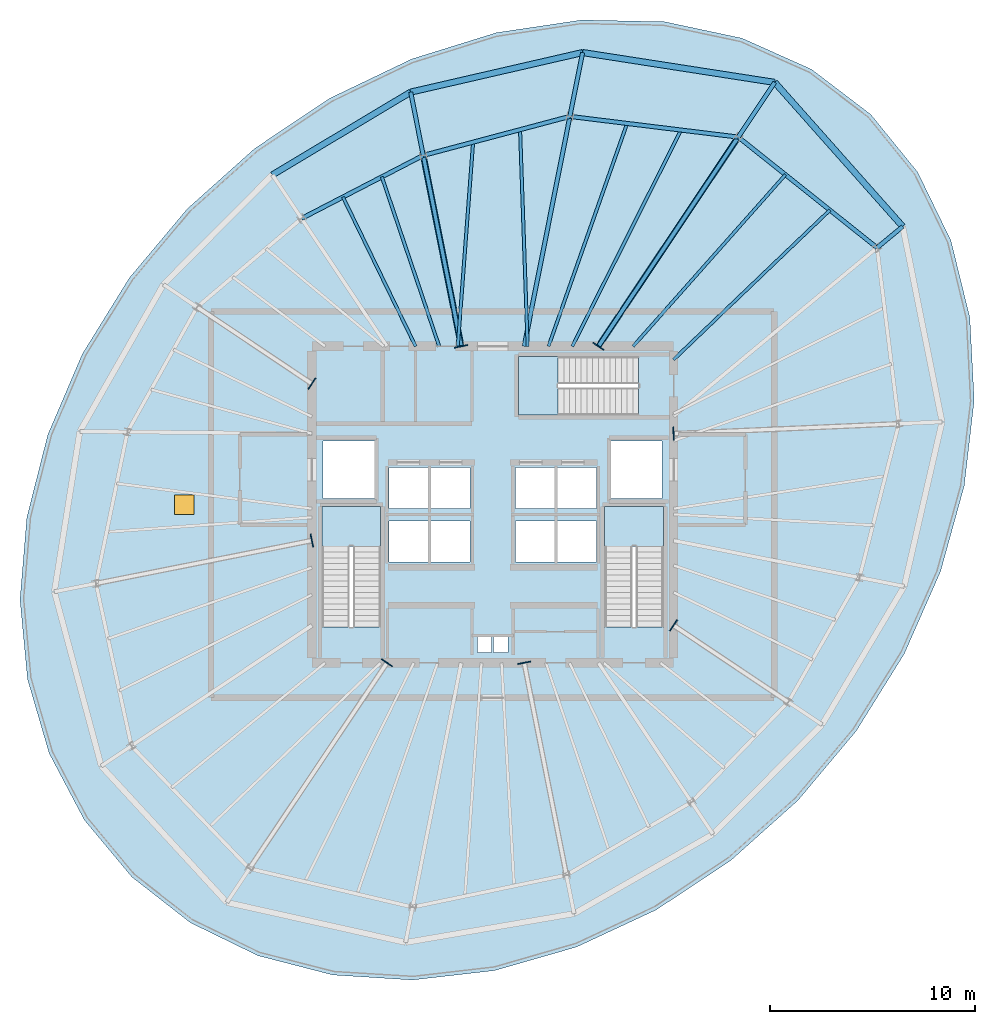
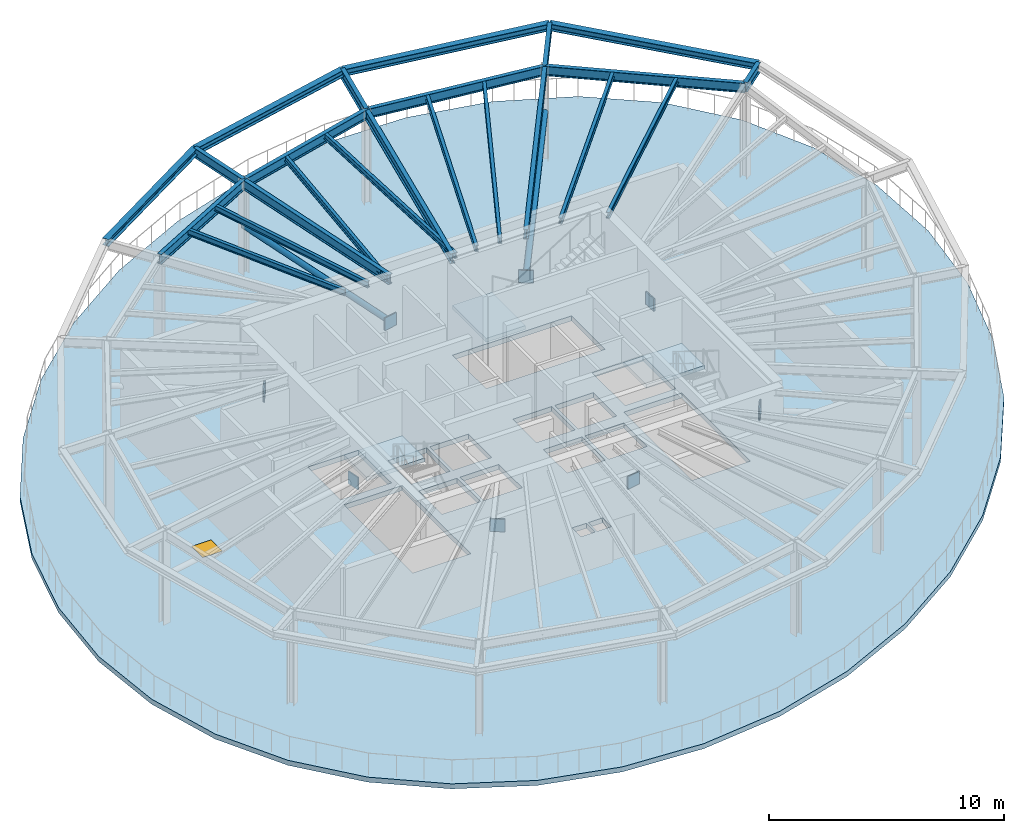
# One storey, part 3 of 8: 23 beams, 8 plates, 4 slabs, 2 members, 1 door, 1 opening, 3 elements without a shape of their own.
"""IFC4 building model written with IfcOpenShell, lengths in metres."""

from ifc_helpers import new_model, si_unit, direction, frame, origin, origin_2d, place, context, subcontext, project, spatial, polyline, rectangle, hollow_circle, i_section, outline, extrude, source, transform, mapped, material, layer, layer_set, material_profile, profile_set, type_object, element, fill, aggregate, save


model = new_model("IFC4")

# Units and contexts
model_context = context("Model", 3, precision=1e-05, world=origin(), true_north=direction((0.0, 1.0)))
body_context = subcontext(model_context, "Body", "Model", "MODEL_VIEW")
ifc_project = project(units=[si_unit("LENGTHUNIT", "METRE"), si_unit("AREAUNIT", "SQUARE_METRE"), si_unit("VOLUMEUNIT", "CUBIC_METRE"), si_unit("PLANEANGLEUNIT", "RADIAN"), si_unit("MASSUNIT", "GRAM", prefix="KILO"), si_unit("THERMODYNAMICTEMPERATUREUNIT", "KELVIN")], contexts=[model_context])

# Site, building, storey
site_placement = place(None, origin())
site = spatial("IfcSite", under=ifc_project, at=site_placement, CompositionType="ELEMENT")
building_placement = place(site_placement, origin())
building = spatial("IfcBuilding", under=site, at=building_placement, Name="Kethvar Cultural Tower", CompositionType="ELEMENT")
storey_placement = place(building_placement, frame((0.0, 0.0, 218.39990234375)))
storey = spatial("IfcBuildingStorey", under=building, at=storey_placement, Name="L57", CompositionType="ELEMENT", Elevation=218.39990234375)

# Beams
ifc_material_1 = material(Name="Steel S355J2", Category="steel")
ifc_material_profile_1 = material_profile(ifc_material_1, i_section(OverallWidth=0.199951171875, OverallDepth=0.5, WebThickness=0.01025390625, FlangeThickness=0.01611328125, FilletRadius=0.02099609375, at=origin_2d()), Name="Steel S355J2 — IPE500")
ifc_profile_set_1 = profile_set([ifc_material_profile_1], Name="Steel S355J2 — IPE500")
beam_type_1 = type_object("IfcBeamType", Name="BM-IPE500", PredefinedType="BEAM", material=ifc_profile_set_1)
shared_shape_1 = source(origin(), body_context, "Body", "SweptSolid", [
    extrude(i_section(OverallWidth=0.199951171875, OverallDepth=0.5, WebThickness=0.01025390625, FlangeThickness=0.01611328125, FilletRadius=0.02099609375, at=origin_2d()), origin(), (0.0, 0.0, 1.0), 3.2001953125),
])
beam_1_placement = place(storey_placement, frame((58.748046875, 45.681396484375, 4.63818359375), z_axis=(0.555544970406, 0.831486491686, 0.0), x_axis=(-0.831486491686, 0.555544970406, 0.0)))
element("IfcBeam", 1, at=beam_1_placement, inside=storey, type_object=beam_type_1, Name="L57 Perimeter Cantilever Beam RC-03", PredefinedType="BEAM", context=body_context, shape_type="MappedRepresentation", body=[
    mapped(shared_shape_1, transform((0.0, 0.0, 0.0), scale=1.0)),
])
shared_shape_2 = source(origin(), body_context, "Body", "SweptSolid", [
    extrude(i_section(OverallWidth=0.199951171875, OverallDepth=0.5, WebThickness=0.01025390625, FlangeThickness=0.01611328125, FilletRadius=0.02099609375, at=origin_2d()), origin(), (0.0, 0.0, 1.0), 12.2451171875),
])
beam_2_placement = place(storey_placement, frame((51.945068359375, 35.5, 4.63818359375), z_axis=(0.555569492312, 0.831470107227, 0.0), x_axis=(-0.831470107227, 0.555569492312, 0.0)))
element("IfcBeam", 2, at=beam_2_placement, inside=storey, type_object=beam_type_1, Name="L57 Primary Radial Beam RB-03", PredefinedType="BEAM", context=body_context, shape_type="MappedRepresentation", body=[
    mapped(shared_shape_2, transform((0.0, 0.0, 0.0), scale=1.0)),
])
shared_shape_3 = source(origin(), body_context, "Body", "SweptSolid", [
    extrude(i_section(OverallWidth=0.199951171875, OverallDepth=0.5, WebThickness=0.01025390625, FlangeThickness=0.01611328125, FilletRadius=0.02099609375, at=origin_2d()), origin(), (0.0, 0.0, 1.0), 11.40673828125),
])
beam_3_placement = place(storey_placement, frame((48.33154296875, 35.5, 4.63818359375), z_axis=(0.195091138918, 0.980785117911, 0.0), x_axis=(-0.980785117911, 0.195091138918, 0.0)))
element("IfcBeam", 3, at=beam_3_placement, inside=storey, type_object=beam_type_1, Name="L57 Primary Radial Beam RB-04", PredefinedType="BEAM", context=body_context, shape_type="MappedRepresentation", body=[
    mapped(shared_shape_3, transform((0.0, 0.0, 0.0), scale=1.0)),
])
shared_shape_4 = source(origin(), body_context, "Body", "SweptSolid", [
    extrude(i_section(OverallWidth=0.199951171875, OverallDepth=0.5, WebThickness=0.01025390625, FlangeThickness=0.01611328125, FilletRadius=0.02099609375, at=origin_2d()), origin(), (0.0, 0.0, 1.0), 9.47119140625),
])
beam_4_placement = place(storey_placement, frame((45.268310546875, 35.5, 4.63818359375), z_axis=(-0.195079990396, 0.980787335434, 0.0), x_axis=(-0.980787335434, -0.195079990396, 0.0)))
element("IfcBeam", 4, at=beam_4_placement, inside=storey, type_object=beam_type_1, Name="L57 Primary Radial Beam RB-05", PredefinedType="BEAM", context=body_context, shape_type="MappedRepresentation", body=[
    mapped(shared_shape_4, transform((0.0, 0.0, 0.0), scale=1.0)),
])
shared_shape_5 = source(origin(), body_context, "Body", "SweptSolid", [
    extrude(i_section(OverallWidth=0.199951171875, OverallDepth=0.5, WebThickness=0.01025390625, FlangeThickness=0.01611328125, FilletRadius=0.02099609375, at=origin_2d()), origin(), (0.0, 0.0, 1.0), 8.638916015625),
])
beam_5_placement = place(storey_placement, frame((65.504150390625, 40.297607421875, 4.63818359375), z_axis=(-0.782058475366, 0.623205055425, 0.0), x_axis=(-0.623205055425, -0.782058475366, 0.0)))
element("IfcBeam", 5, at=beam_5_placement, inside=storey, type_object=beam_type_1, Name="L57 Column Ring Tie Beam CR-02", PredefinedType="BEAM", context=body_context, shape_type="MappedRepresentation", body=[
    mapped(shared_shape_5, transform((0.0, 0.0, 0.0), scale=1.0)),
])
ifc_material_profile_2 = material_profile(ifc_material_1, i_section(OverallWidth=0.14990234375, OverallDepth=0.300048828125, WebThickness=0.007080078125, FlangeThickness=0.0107421875, FilletRadius=0.014892578125, at=origin_2d()), Name="Steel S355J2 — IPE300")
ifc_profile_set_2 = profile_set([ifc_material_profile_2], Name="Steel S355J2 — IPE300")
beam_type_2 = type_object("IfcBeamType", Name="BM-J300", PredefinedType="JOIST", material=ifc_profile_set_2)
shared_shape_6 = source(origin(), body_context, "Body", "SweptSolid", [
    extrude(i_section(OverallWidth=0.14990234375, OverallDepth=0.300048828125, WebThickness=0.007080078125, FlangeThickness=0.0107421875, FilletRadius=0.014892578125, at=origin_2d()), origin(), (0.0, 0.0, 1.0), 10.52783203125),
])
beam_6_placement = place(storey_placement, frame((55.60009765625, 34.85009765625, 4.738037109375), z_axis=(0.722552708299, 0.691315835006, 0.0), x_axis=(-0.691315835006, 0.722552708299, 0.0)))
element("IfcBeam", 6, at=beam_6_placement, inside=storey, type_object=beam_type_2, Name="L57 Composite Floor Joist J-02A", PredefinedType="JOIST", context=body_context, shape_type="MappedRepresentation", body=[
    mapped(shared_shape_6, transform((0.0, 0.0, 0.0), scale=1.0)),
])
shared_shape_7 = source(origin(), body_context, "Body", "SweptSolid", [
    extrude(i_section(OverallWidth=0.14990234375, OverallDepth=0.300048828125, WebThickness=0.007080078125, FlangeThickness=0.0107421875, FilletRadius=0.014892578125, at=origin_2d()), origin(), (0.0, 0.0, 1.0), 11.16552734375),
])
beam_7_placement = place(storey_placement, frame((53.6337890625, 35.5, 4.738037109375), z_axis=(0.663773261048, 0.747933859321, 0.0), x_axis=(-0.747933859321, 0.663773261048, 0.0)))
element("IfcBeam", 7, at=beam_7_placement, inside=storey, type_object=beam_type_2, Name="L57 Composite Floor Joist J-02B", PredefinedType="JOIST", context=body_context, shape_type="MappedRepresentation", body=[
    mapped(shared_shape_7, transform((0.0, 0.0, 0.0), scale=1.0)),
])
shared_shape_8 = source(origin(), body_context, "Body", "SweptSolid", [
    extrude(i_section(OverallWidth=0.199951171875, OverallDepth=0.5, WebThickness=0.01025390625, FlangeThickness=0.01611328125, FilletRadius=0.02099609375, at=origin_2d()), origin(), (0.0, 0.0, 1.0), 8.252685546875),
])
beam_8_placement = place(storey_placement, frame((58.748046875, 45.681396484375, 4.63818359375), z_axis=(-0.992540943467, 0.121911753093, 0.0), x_axis=(-0.121911753093, -0.992540943467, 0.0)))
element("IfcBeam", 8, at=beam_8_placement, inside=storey, type_object=beam_type_1, Name="L57 Column Ring Tie Beam CR-03", PredefinedType="BEAM", context=body_context, shape_type="MappedRepresentation", body=[
    mapped(shared_shape_8, transform((0.0, 0.0, 0.0), scale=1.0)),
])
shared_shape_9 = source(origin(), body_context, "Body", "SweptSolid", [
    extrude(i_section(OverallWidth=0.14990234375, OverallDepth=0.300048828125, WebThickness=0.007080078125, FlangeThickness=0.0107421875, FilletRadius=0.014892578125, at=origin_2d()), origin(), (0.0, 0.0, 1.0), 11.77880859375),
])
beam_9_placement = place(storey_placement, frame((50.671630859375, 35.5, 4.738037109375), z_axis=(0.449218855458, 0.893421748057, 0.0), x_axis=(-0.893421748057, 0.449218855458, 0.0)))
element("IfcBeam", 9, at=beam_9_placement, inside=storey, type_object=beam_type_2, Name="L57 Composite Floor Joist J-03A", PredefinedType="JOIST", context=body_context, shape_type="MappedRepresentation", body=[
    mapped(shared_shape_9, transform((0.0, 0.0, 0.0), scale=1.0)),
])
shared_shape_10 = source(origin(), body_context, "Body", "SweptSolid", [
    extrude(i_section(OverallWidth=0.14990234375, OverallDepth=0.300048828125, WebThickness=0.007080078125, FlangeThickness=0.0107421875, FilletRadius=0.014892578125, at=origin_2d()), origin(), (0.0, 0.0, 1.0), 11.50048828125),
])
beam_10_placement = place(storey_placement, frame((49.51611328125, 35.5, 4.738037109375), z_axis=(0.332655768875, 0.943048322958, 0.0), x_axis=(-0.943048322958, 0.332655768875, 0.0)))
element("IfcBeam", 10, at=beam_10_placement, inside=storey, type_object=beam_type_2, Name="L57 Composite Floor Joist J-03B", PredefinedType="JOIST", context=body_context, shape_type="MappedRepresentation", body=[
    mapped(shared_shape_10, transform((0.0, 0.0, 0.0), scale=1.0)),
])
shared_shape_11 = source(origin(), body_context, "Body", "SweptSolid", [
    extrude(i_section(OverallWidth=0.199951171875, OverallDepth=0.5, WebThickness=0.01025390625, FlangeThickness=0.01611328125, FilletRadius=0.02099609375, at=origin_2d()), origin(), (0.0, 0.0, 1.0), 7.38427734375),
])
beam_11_placement = place(storey_placement, frame((50.556884765625, 46.6875, 4.63818359375), z_axis=(-0.966396628298, -0.257055552002, 0.0), x_axis=(0.257055552002, -0.966396628298, 0.0)))
element("IfcBeam", 11, at=beam_11_placement, inside=storey, type_object=beam_type_1, Name="L57 Column Ring Tie Beam CR-04", PredefinedType="BEAM", context=body_context, shape_type="MappedRepresentation", body=[
    mapped(shared_shape_11, transform((0.0, 0.0, 0.0), scale=1.0)),
])
shared_shape_12 = source(origin(), body_context, "Body", "SweptSolid", [
    extrude(i_section(OverallWidth=0.14990234375, OverallDepth=0.300048828125, WebThickness=0.007080078125, FlangeThickness=0.0107421875, FilletRadius=0.014892578125, at=origin_2d()), origin(), (0.0, 0.0, 1.0), 10.54833984375),
])
beam_12_placement = place(storey_placement, frame((48.5, 35.5, 4.738037109375), z_axis=(-0.035017879941, 0.999386685965, 0.0), x_axis=(-0.999386685965, -0.035017879941, 0.0)))
element("IfcBeam", 12, at=beam_12_placement, inside=storey, type_object=beam_type_2, Name="L57 Composite Floor Joist J-04A", PredefinedType="JOIST", context=body_context, shape_type="MappedRepresentation", body=[
    mapped(shared_shape_12, transform((0.0, 0.0, 0.0), scale=1.0)),
])
shared_shape_13 = source(origin(), body_context, "Body", "SweptSolid", [
    extrude(i_section(OverallWidth=0.14990234375, OverallDepth=0.300048828125, WebThickness=0.007080078125, FlangeThickness=0.0107421875, FilletRadius=0.014892578125, at=origin_2d()), origin(), (0.0, 0.0, 1.0), 9.962646484375),
])
beam_13_placement = place(storey_placement, frame((45.10009765625, 35.5, 4.738037109375), z_axis=(0.074962964429, 0.99718631858, 0.0), x_axis=(-0.99718631858, 0.074962964429, 0.0)))
element("IfcBeam", 13, at=beam_13_placement, inside=storey, type_object=beam_type_2, Name="L57 Composite Floor Joist J-04B", PredefinedType="JOIST", context=body_context, shape_type="MappedRepresentation", body=[
    mapped(shared_shape_13, transform((0.0, 0.0, 0.0), scale=1.0)),
])
shared_shape_14 = source(origin(), body_context, "Body", "SweptSolid", [
    extrude(i_section(OverallWidth=0.199951171875, OverallDepth=0.5, WebThickness=0.01025390625, FlangeThickness=0.01611328125, FilletRadius=0.02099609375, at=origin_2d()), origin(), (0.0, 0.0, 1.0), 6.669921875),
])
beam_14_placement = place(storey_placement, frame((43.420654296875, 44.789306640625, 4.63818359375), z_axis=(-0.887861983948, -0.460109875421, 0.0), x_axis=(0.460109875421, -0.887861983948, 0.0)))
element("IfcBeam", 14, at=beam_14_placement, inside=storey, type_object=beam_type_1, Name="L57 Column Ring Tie Beam CR-05", PredefinedType="BEAM", context=body_context, shape_type="MappedRepresentation", body=[
    mapped(shared_shape_14, transform((0.0, 0.0, 0.0), scale=1.0)),
])
shared_shape_15 = source(origin(), body_context, "Body", "SweptSolid", [
    extrude(i_section(OverallWidth=0.14990234375, OverallDepth=0.300048828125, WebThickness=0.007080078125, FlangeThickness=0.0107421875, FilletRadius=0.014892578125, at=origin_2d()), origin(), (0.0, 0.0, 1.0), 8.70458984375),
])
beam_15_placement = place(storey_placement, frame((44.19580078125, 35.5, 4.738037109375), z_axis=(-0.320356133074, 0.947297180404, 0.0), x_axis=(-0.947297180404, -0.320356133074, 0.0)))
element("IfcBeam", 15, at=beam_15_placement, inside=storey, type_object=beam_type_2, Name="L57 Composite Floor Joist J-05A", PredefinedType="JOIST", context=body_context, shape_type="MappedRepresentation", body=[
    mapped(shared_shape_15, transform((0.0, 0.0, 0.0), scale=1.0)),
])
shared_shape_16 = source(origin(), body_context, "Body", "SweptSolid", [
    extrude(i_section(OverallWidth=0.14990234375, OverallDepth=0.300048828125, WebThickness=0.007080078125, FlangeThickness=0.0107421875, FilletRadius=0.014892578125, at=origin_2d()), origin(), (0.0, 0.0, 1.0), 8.07958984375),
])
beam_16_placement = place(storey_placement, frame((43.0498046875, 35.5, 4.738037109375), z_axis=(-0.437846062021, 0.89904995744, 0.0), x_axis=(-0.89904995744, -0.437846062021, 0.0)))
element("IfcBeam", 16, at=beam_16_placement, inside=storey, type_object=beam_type_2, Name="L57 Composite Floor Joist J-05B", PredefinedType="JOIST", context=body_context, shape_type="MappedRepresentation", body=[
    mapped(shared_shape_16, transform((0.0, 0.0, 0.0), scale=1.0)),
])
shared_shape_17 = source(origin(), body_context, "Body", "SweptSolid", [
    extrude(i_section(OverallWidth=0.199951171875, OverallDepth=0.5, WebThickness=0.01025390625, FlangeThickness=0.01611328125, FilletRadius=0.02099609375, at=origin_2d()), origin(), (0.0, 0.0, 1.0), 1.6201171875),
])
beam_17_placement = place(storey_placement, frame((65.504150390625, 40.297607421875, 4.63818359375), z_axis=(0.770292225281, 0.63769105974, 0.0), x_axis=(-0.63769105974, 0.770292225281, 0.0)))
element("IfcBeam", 17, at=beam_17_placement, inside=storey, type_object=beam_type_1, Name="L57 Perimeter Cantilever Beam RC-02", PredefinedType="BEAM", context=body_context, shape_type="MappedRepresentation", body=[
    mapped(shared_shape_17, transform((0.0, 0.0, 0.0), scale=1.0)),
])
shared_shape_18 = source(origin(), body_context, "Body", "SweptSolid", [
    extrude(i_section(OverallWidth=0.199951171875, OverallDepth=0.5, WebThickness=0.01025390625, FlangeThickness=0.01611328125, FilletRadius=0.02099609375, at=origin_2d()), origin(), (0.0, 0.0, 1.0), 3.16796875),
])
beam_18_placement = place(storey_placement, frame((50.556884765625, 46.6875, 4.63818359375), z_axis=(0.195123109549, 0.980778757988, 0.0), x_axis=(-0.980778757988, 0.195123109549, 0.0)))
element("IfcBeam", 18, at=beam_18_placement, inside=storey, type_object=beam_type_1, Name="L57 Perimeter Cantilever Beam RC-04", PredefinedType="BEAM", context=body_context, shape_type="MappedRepresentation", body=[
    mapped(shared_shape_18, transform((0.0, 0.0, 0.0), scale=1.0)),
])
shared_shape_19 = source(origin(), body_context, "Body", "SweptSolid", [
    extrude(i_section(OverallWidth=0.199951171875, OverallDepth=0.5, WebThickness=0.01025390625, FlangeThickness=0.01611328125, FilletRadius=0.02099609375, at=origin_2d()), origin(), (0.0, 0.0, 1.0), 3.140380859375),
])
beam_19_placement = place(storey_placement, frame((43.420654296875, 44.789306640625, 4.63818359375), z_axis=(-0.195129326111, 0.9807775212, 0.0), x_axis=(-0.9807775212, -0.195129326111, 0.0)))
element("IfcBeam", 19, at=beam_19_placement, inside=storey, type_object=beam_type_1, Name="L57 Perimeter Cantilever Beam RC-05", PredefinedType="BEAM", context=body_context, shape_type="MappedRepresentation", body=[
    mapped(shared_shape_19, transform((0.0, 0.0, 0.0), scale=1.0)),
])
ifc_material_profile_3 = material_profile(ifc_material_1, i_section(OverallWidth=0.300048828125, OverallDepth=0.360107421875, WebThickness=0.012451171875, FlangeThickness=0.0224609375, FilletRadius=0.027099609375, at=origin_2d()), Name="Steel S355J2 — HEB360")
ifc_profile_set_3 = profile_set([ifc_material_profile_3], Name="Steel S355J2 — HEB360")
beam_type_3 = type_object("IfcBeamType", Name="BM-SP360", PredefinedType="SPANDREL", material=ifc_profile_set_3)
shared_shape_20 = source(origin(), body_context, "Body", "SweptSolid", [
    extrude(i_section(OverallWidth=0.300048828125, OverallDepth=0.360107421875, WebThickness=0.012451171875, FlangeThickness=0.0224609375, FilletRadius=0.027099609375, at=origin_2d()), origin(), (0.0, 0.0, 1.0), 9.376953125),
])
beam_20_placement = place(storey_placement, frame((66.752197265625, 41.330810546875, 4.7080078125), z_axis=(-0.66400015179, 0.747732437723, 0.0), x_axis=(-0.747732437723, -0.66400015179, 0.0)))
element("IfcBeam", 20, at=beam_20_placement, inside=storey, type_object=beam_type_3, Name="L57 Perimeter Spandrel Beam SP-02", PredefinedType="SPANDREL", context=body_context, shape_type="MappedRepresentation", body=[
    mapped(shared_shape_20, transform((0.0, 0.0, 0.0), scale=1.0)),
])
shared_shape_21 = source(origin(), body_context, "Body", "SweptSolid", [
    extrude(i_section(OverallWidth=0.300048828125, OverallDepth=0.360107421875, WebThickness=0.012451171875, FlangeThickness=0.0224609375, FilletRadius=0.027099609375, at=origin_2d()), origin(), (0.0, 0.0, 1.0), 9.462890625),
])
beam_21_placement = place(storey_placement, frame((60.52587890625, 48.34228515625, 4.7080078125), z_axis=(-0.988151448223, 0.153481970849, 0.0), x_axis=(-0.153481970849, -0.988151448223, 0.0)))
element("IfcBeam", 21, at=beam_21_placement, inside=storey, type_object=beam_type_3, Name="L57 Perimeter Spandrel Beam SP-03", PredefinedType="SPANDREL", context=body_context, shape_type="MappedRepresentation", body=[
    mapped(shared_shape_21, transform((0.0, 0.0, 0.0), scale=1.0)),
])
shared_shape_22 = source(origin(), body_context, "Body", "SweptSolid", [
    extrude(i_section(OverallWidth=0.300048828125, OverallDepth=0.360107421875, WebThickness=0.012451171875, FlangeThickness=0.0224609375, FilletRadius=0.027099609375, at=origin_2d()), origin(), (0.0, 0.0, 1.0), 8.5859375),
])
beam_22_placement = place(storey_placement, frame((51.175048828125, 49.794677734375, 4.7080078125), z_axis=(-0.974533814544, -0.224240594698, 0.0), x_axis=(0.224240594698, -0.974533814544, 0.0)))
element("IfcBeam", 22, at=beam_22_placement, inside=storey, type_object=beam_type_3, Name="L57 Perimeter Spandrel Beam SP-04", PredefinedType="SPANDREL", context=body_context, shape_type="MappedRepresentation", body=[
    mapped(shared_shape_22, transform((0.0, 0.0, 0.0), scale=1.0)),
])
shared_shape_23 = source(origin(), body_context, "Body", "SweptSolid", [
    extrude(i_section(OverallWidth=0.300048828125, OverallDepth=0.360107421875, WebThickness=0.012451171875, FlangeThickness=0.0224609375, FilletRadius=0.027099609375, at=origin_2d()), origin(), (0.0, 0.0, 1.0), 7.840576171875),
])
beam_23_placement = place(storey_placement, frame((42.807861328125, 47.869384765625, 4.7080078125), z_axis=(-0.858085819931, -0.513506305349, 0.0), x_axis=(0.513506305349, -0.858085819931, 0.0)))
element("IfcBeam", 23, at=beam_23_placement, inside=storey, type_object=beam_type_3, Name="L57 Perimeter Spandrel Beam SP-05", PredefinedType="SPANDREL", context=body_context, shape_type="MappedRepresentation", body=[
    mapped(shared_shape_23, transform((0.0, 0.0, 0.0), scale=1.0)),
])

# Members
ifc_material_profile_4 = material_profile(ifc_material_1, hollow_circle(Radius=0.136474609375, WallThickness=0.012451171875, at=origin_2d()), Name="Steel S355J2 — CHS273x12.5")
ifc_profile_set_4 = profile_set([ifc_material_profile_4], Name="Steel S355J2 — CHS273x12.5")
member_type = type_object("IfcMemberType", Name="MB-WIND-STR", PredefinedType="STRUT", material=ifc_profile_set_4)
shared_shape_24 = source(origin(), body_context, "Body", "SweptSolid", [
    extrude(hollow_circle(Radius=0.136474609375, WallThickness=0.012451171875, at=origin_2d()), origin(), (0.0, 0.0, 1.0), 12.2451171875),
])
member_1_placement = place(storey_placement, frame((51.945068359375, 35.5, 2.445068359375), z_axis=(0.555569492312, 0.831470107227, 0.0), x_axis=(-0.831470107227, 0.555569492312, 0.0)))
element("IfcMember", 24, at=member_1_placement, inside=storey, type_object=member_type, Name="L57 Wind-Floor Tie Strut WS-02", PredefinedType="STRUT", context=body_context, shape_type="MappedRepresentation", body=[
    mapped(shared_shape_24, transform((0.0, 0.0, 0.0), scale=1.0)),
])
shared_shape_25 = source(origin(), body_context, "Body", "SweptSolid", [
    extrude(hollow_circle(Radius=0.136474609375, WallThickness=0.012451171875, at=origin_2d()), origin(), (0.0, 0.0, 1.0), 9.47119140625),
])
member_2_placement = place(storey_placement, frame((45.268310546875, 35.5, 2.445068359375), z_axis=(-0.195079990396, 0.980787335434, 0.0), x_axis=(-0.980787335434, -0.195079990396, 0.0)))
element("IfcMember", 25, at=member_2_placement, inside=storey, type_object=member_type, Name="L57 Wind-Floor Tie Strut WS-03", PredefinedType="STRUT", context=body_context, shape_type="MappedRepresentation", body=[
    mapped(shared_shape_25, transform((0.0, 0.0, 0.0), scale=1.0)),
])

# Stair, slab
ifc_material_2 = material(Name="Concrete C40/50", Category="concrete")
stair_type = type_object("IfcStairType", Name="ST-DOGLEG-135", PredefinedType="HALF_TURN_STAIR", material=ifc_material_2)
stair_1_placement = place(storey_placement, origin())
stair_1 = element("IfcStair", 26, at=stair_1_placement, inside=storey, type_object=stair_type, Name="L57 Core Exit Stair 1", PredefinedType="HALF_TURN_STAIR")
ifc_layer_1 = layer(ifc_material_2, 0.199951171875, Name="Concrete C40/50", Category="concrete")
ifc_layer_set_1 = layer_set([ifc_layer_1], Name="Concrete C40/50 (200 mm)")
slab_type_1 = type_object("IfcSlabType", Name="SL-STAIR-LANDING-200", PredefinedType="LANDING", material=ifc_layer_set_1)
slab_1_placement = place(storey_placement, frame((0.0, 0.0, 2.400146484375)))
slab_1 = element("IfcSlab", 27, at=slab_1_placement, type_object=slab_type_1, Name="ST-01 landing 1", PredefinedType="LANDING", context=body_context, shape_type="SweptSolid", body=[
    extrude(outline(polyline([(41.35009765625, 25.77001953125), (41.35009765625, 27.699951171875), (38.489990234375, 27.699951171875), (38.489990234375, 25.77001953125), (41.35009765625, 25.77001953125)])), origin(), (0.0, 0.0, 1.0), 0.199951171875),
])
aggregate(stair_1, [slab_1])

stair_2_placement = place(storey_placement, origin())
stair_2 = element("IfcStair", 28, at=stair_2_placement, inside=storey, type_object=stair_type, Name="L57 Core Exit Stair 2", PredefinedType="HALF_TURN_STAIR")
slab_2_placement = place(storey_placement, frame((0.0, 0.0, 2.400146484375)))
slab_2 = element("IfcSlab", 29, at=slab_2_placement, type_object=slab_type_1, Name="ST-02 landing 1", PredefinedType="LANDING", context=body_context, shape_type="SweptSolid", body=[
    extrude(outline(polyline([(55.110107421875, 25.77001953125), (55.110107421875, 27.699951171875), (52.25, 27.699951171875), (52.25, 25.77001953125), (55.110107421875, 25.77001953125)])), origin(), (0.0, 0.0, 1.0), 0.199951171875),
])
aggregate(stair_2, [slab_2])

stair_3_placement = place(storey_placement, origin())
stair_3 = element("IfcStair", 30, at=stair_3_placement, inside=storey, type_object=stair_type, Name="L57 Core Exit Stair 3", PredefinedType="HALF_TURN_STAIR")
slab_3_placement = place(storey_placement, frame((0.0, 0.0, 2.400146484375)))
slab_3 = element("IfcSlab", 31, at=slab_3_placement, type_object=slab_type_1, Name="ST-03 landing 1", PredefinedType="LANDING", context=body_context, shape_type="SweptSolid", body=[
    extrude(outline(polyline([(49.97998046875, 35.010009765625), (48.050048828125, 35.010009765625), (48.050048828125, 32.14990234375), (49.97998046875, 32.14990234375), (49.97998046875, 35.010009765625)])), origin(), (0.0, 0.0, 1.0), 0.199951171875),
])
aggregate(stair_3, [slab_3])

# Slab, opening, door
ifc_material_3 = material(Name="Concrete C45/55", Category="concrete")
ifc_layer_2 = layer(ifc_material_3, 0.260009765625, Name="Concrete C45/55", Category="concrete")
ifc_layer_set_2 = layer_set([ifc_layer_2], Name="Concrete C45/55 (260 mm)")
slab_type_2 = type_object("IfcSlabType", Name="SL-WIND-260", PredefinedType="FLOOR", material=ifc_layer_set_2)
slab_4_placement = place(storey_placement, frame((0.0, 0.0, -0.260009765625)))
slab_4 = element("IfcSlab", 32, at=slab_4_placement, inside=storey, type_object=slab_type_2, Name="L57 Structural Floor Slab", PredefinedType="FLOOR", context=body_context, shape_type="SweptSolid", body=[
    extrude(outline(polyline([(65.19677734375, 46.783935546875), (62.31884765625, 48.976318359375), (58.936279296875, 50.490966796875), (55.16357421875, 51.294189453125), (51.132568359375, 51.37890625), (46.984619140625, 50.7626953125), (42.86279296875, 49.481201171875), (38.9033203125, 47.58544921875), (35.2294921875, 45.135498046875), (31.94384765625, 42.196533203125), (29.1201171875, 38.8310546875), (26.833251953125, 35.130126953125), (25.1533203125, 31.206787109375), (24.131103515625, 27.1796875), (23.797607421875, 23.17138671875), (24.1630859375, 19.303955078125), (25.21630859375, 15.694580078125), (26.92529296875, 12.452880859375), (29.23828125, 9.677734375), (32.0849609375, 7.453125), (35.37841796875, 5.8466796875), (39.019287109375, 4.907470703125), (42.896240234375, 4.66357421875), (46.89208984375, 5.122802734375), (50.885009765625, 6.27099609375), (54.75390625, 8.073486328125), (58.380859375, 10.47509765625), (61.65625, 13.4033203125), (64.490478515625, 16.77978515625), (66.82373046875, 20.52880859375), (68.59423828125, 24.545654296875), (69.74560546875, 28.705810546875), (70.231201171875, 32.87109375), (70.019775390625, 36.8974609375), (69.098388671875, 40.64306640625), (67.478515625, 43.976318359375), (65.19677734375, 46.783935546875)]), holes=[polyline([(38.489990234375, 21.85009765625), (38.489990234375, 27.699951171875), (41.35009765625, 27.699951171875), (41.35009765625, 21.85009765625), (38.489990234375, 21.85009765625)]), polyline([(52.25, 21.85009765625), (52.25, 27.699951171875), (55.110107421875, 27.699951171875), (55.110107421875, 21.85009765625), (52.25, 21.85009765625)]), polyline([(53.89990234375, 32.14990234375), (48.050048828125, 32.14990234375), (48.050048828125, 35.010009765625), (53.89990234375, 35.010009765625), (53.89990234375, 32.14990234375)]), polyline([(41.75, 27.0), (43.64990234375, 27.0), (43.64990234375, 25.0), (41.75, 25.0), (41.75, 27.0)]), polyline([(43.800048828125, 27.0), (45.699951171875, 27.0), (45.699951171875, 25.0), (43.800048828125, 25.0), (43.800048828125, 27.0)]), polyline([(47.89990234375, 27.0), (49.800048828125, 27.0), (49.800048828125, 25.0), (47.89990234375, 25.0), (47.89990234375, 27.0)]), polyline([(49.949951171875, 27.0), (51.85009765625, 27.0), (51.85009765625, 25.0), (49.949951171875, 25.0), (49.949951171875, 27.0)]), polyline([(41.75, 29.60009765625), (43.64990234375, 29.60009765625), (43.64990234375, 27.60009765625), (41.75, 27.60009765625), (41.75, 29.60009765625)]), polyline([(43.800048828125, 29.60009765625), (45.699951171875, 29.60009765625), (45.699951171875, 27.60009765625), (43.800048828125, 27.60009765625), (43.800048828125, 29.60009765625)]), polyline([(47.89990234375, 29.60009765625), (49.800048828125, 29.60009765625), (49.800048828125, 27.60009765625), (47.89990234375, 27.60009765625), (47.89990234375, 29.60009765625)]), polyline([(49.949951171875, 29.60009765625), (51.85009765625, 29.60009765625), (51.85009765625, 27.60009765625), (49.949951171875, 27.60009765625), (49.949951171875, 29.60009765625)]), polyline([(38.550048828125, 30.89990234375), (41.050048828125, 30.89990234375), (41.050048828125, 28.10009765625), (38.550048828125, 28.10009765625), (38.550048828125, 30.89990234375)]), polyline([(52.550048828125, 30.89990234375), (55.050048828125, 30.89990234375), (55.050048828125, 28.10009765625), (52.550048828125, 28.10009765625), (52.550048828125, 30.89990234375)]), polyline([(46.050048828125, 21.35009765625), (46.75, 21.35009765625), (46.75, 20.60009765625), (46.050048828125, 20.60009765625), (46.050048828125, 21.35009765625)]), polyline([(46.85009765625, 21.35009765625), (47.550048828125, 21.35009765625), (47.550048828125, 20.60009765625), (46.85009765625, 20.60009765625), (46.85009765625, 21.35009765625)])]), origin(), (0.0, 0.0, 1.0), 0.260009765625),
])
opening_placement = place(slab_4_placement, frame((31.800048828125, 27.800048828125, -0.010009765625)))
opening = element("IfcOpeningElement", 33, at=opening_placement, cuts=slab_4, Name="Opening RH-06", PredefinedType="OPENING", context=body_context, shape_type="SweptSolid", body=[
    extrude(rectangle(XDim=0.949951171875, YDim=0.949951171875, at=origin_2d()), origin(), (0.0, 0.0, 1.0), 0.280029296875),
])
door_type = type_object("IfcDoorType", Name="DR-TRAP-ROOF", OperationType="SINGLE_SWING_LEFT", PredefinedType="TRAPDOOR", material=ifc_material_1)
door_placement = place(slab_4_placement, frame((31.800048828125, 27.800048828125, 0.199951171875)))
door = element("IfcDoor", 34, at=door_placement, inside=storey, type_object=door_type, Name="Upper Wind-Deck Inspection Hatch RH-06", OperationType="SINGLE_SWING_LEFT", OverallHeight=0.949951171875, OverallWidth=0.949951171875, PredefinedType="TRAPDOOR", context=body_context, shape_type="SweptSolid", body=[
    extrude(rectangle(XDim=0.949951171875, YDim=0.949951171875, at=origin_2d()), origin(), (0.0, 0.0, 1.0), 0.06005859375),
])
fill(opening, door)

# Plates
ifc_material_4 = material(Name="Steel S460M", Category="steel")
ifc_layer_3 = layer(ifc_material_4, 0.054931640625, Name="Steel S460M", Category="steel")
ifc_layer_set_3 = layer_set([ifc_layer_3], Name="Steel S460M (55 mm)")
plate_type = type_object("IfcPlateType", Name="PL-EMBED-CORE", PredefinedType="SHEET", material=ifc_layer_set_3)
shared_shape_26 = source(origin(), body_context, "Body", "SweptSolid", [
    extrude(rectangle(XDim=0.054931640625, YDim=0.64990234375, at=origin_2d()), origin(), (0.0, 0.0, 1.0), 0.64990234375),
])
for number, where, z_axis, x_axis, name in (
    (35, (55.60009765625, 31.25, 2.1201171875), (0.0, 0.0, 1.0), (0.999040593346, 0.043793753509, 0.0), "L57 Wind-Strut Core Wall Cast-In Embed Plate EP-01"),
    (36, (51.945068359375, 35.5, 2.1201171875), (0.0, 0.0, 1.0), (0.55557023302, 0.831469612303, 0.0), "L57 Wind-Strut Core Wall Cast-In Embed Plate EP-02"),
    (37, (45.268310546875, 35.5, 2.1201171875), (0.0, 0.0, 1.0), (-0.195090322016, 0.980785280403, 0.0), "L57 Wind-Strut Core Wall Cast-In Embed Plate EP-03"),
    (38, (38.0, 33.679931640625, 2.1201171875), (0.0, 0.0, 1.0), (-0.831469612303, 0.55557023302, 0.0), "L57 Wind-Strut Core Wall Cast-In Embed Plate EP-04"),
    (39, (38.0, 26.049560546875, 2.1201171875), (0.0, 0.0, 1.0), (-0.980785280403, -0.195090322016, 0.0), "L57 Wind-Strut Core Wall Cast-In Embed Plate EP-05"),
    (40, (41.655029296875, 20.10009765625, 2.1201171875), (0.0, 0.0, 1.0), (-0.55557023302, -0.831469612303, 0.0), "L57 Wind-Strut Core Wall Cast-In Embed Plate EP-06"),
    (41, (48.33154296875, 20.10009765625, 2.1201171875), (0.0, 0.0, 1.0), (0.195090322016, -0.980785280403, 0.0), "L57 Wind-Strut Core Wall Cast-In Embed Plate EP-07"),
    (42, (55.60009765625, 21.919921875, 2.1201171875), (0.0, 0.0, 1.0), (0.831469612303, -0.55557023302, 0.0), "L57 Wind-Strut Core Wall Cast-In Embed Plate EP-08"),
):
    element("IfcPlate", number, at=place(storey_placement, frame(where, z_axis=z_axis, x_axis=x_axis)), inside=storey, type_object=plate_type, Name=name, PredefinedType="SHEET", context=body_context, shape_type="MappedRepresentation", body=[
        mapped(shared_shape_26, transform((0.0, 0.0, 0.0), scale=1.0)),
    ])

save(model, "model.ifc")
